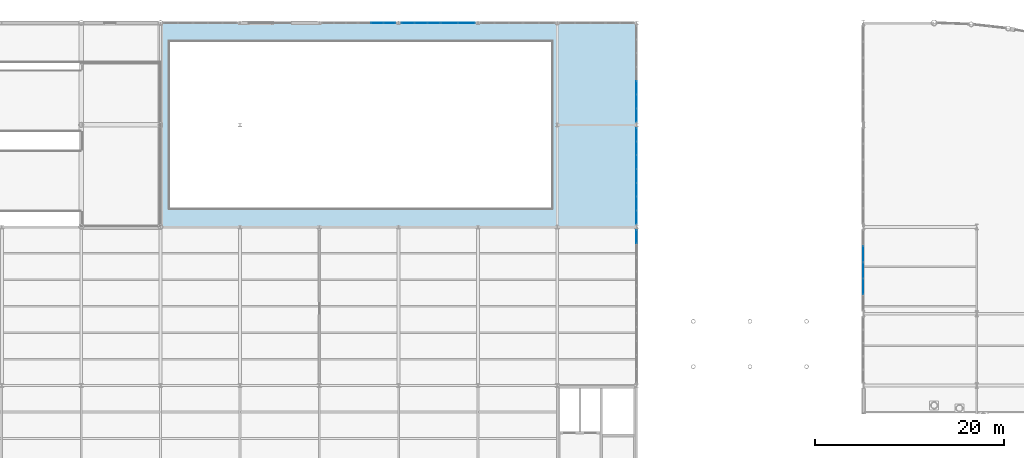
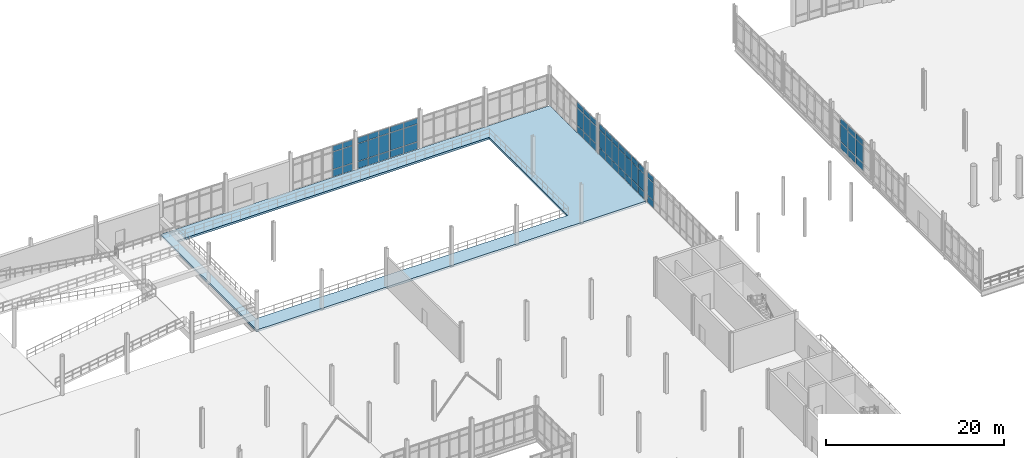
# One storey, part 87 of 111: 63 plates, 1 slab, 7 elements without a shape of their own.
"""IFC4 building model written with IfcOpenShell, lengths in metres."""

from ifc_helpers import new_model, si_unit, direction, frame, origin, origin_2d, place, context, subcontext, project, spatial, polyline, rectangle, outline, extrude, material, layer, layer_set, type_object, element, aggregate, save


model = new_model("IFC4")

# Units and contexts
model_context = context("Model", 3, precision=1e-05, world=origin(), true_north=direction((0.0, 1.0)))
body_context = subcontext(model_context, "Body", "Model", "MODEL_VIEW")
ifc_project = project(units=[si_unit("LENGTHUNIT", "METRE"), si_unit("AREAUNIT", "SQUARE_METRE"), si_unit("VOLUMEUNIT", "CUBIC_METRE"), si_unit("PLANEANGLEUNIT", "RADIAN"), si_unit("MASSUNIT", "GRAM", prefix="KILO"), si_unit("THERMODYNAMICTEMPERATUREUNIT", "KELVIN"), si_unit("POWERUNIT", "WATT")], contexts=[model_context])

# Site, building, storey
site_placement = place(None, origin())
site = spatial("IfcSite", under=ifc_project, at=site_placement, CompositionType="ELEMENT")
building_placement = place(site_placement, origin())
building = spatial("IfcBuilding", under=site, at=building_placement, Name="Tembeka Court Mobility Hub", CompositionType="ELEMENT")
storey_placement = place(building_placement, origin())
storey = spatial("IfcBuildingStorey", under=building, at=storey_placement, Name="L00", CompositionType="ELEMENT", Elevation=0.0)

# Curtain wall, plates
ifc_material_1 = material(Name="Anodised aluminium 6063-T6", Category="aluminium")
ifc_layer_1 = layer(ifc_material_1, 0.159912109375)
ifc_layer_set_1 = layer_set([ifc_layer_1], Name="Anodised aluminium 6063-T6")
curtain_wall_type_1 = type_object("IfcCurtainWallType", Name="CW-SYS13", PredefinedType="USERDEFINED", material=ifc_layer_set_1)
curtain_wall_1_placement = place(storey_placement, origin())
curtain_wall_1 = element("IfcCurtainWall", 1, at=curtain_wall_1_placement, inside=storey, type_object=curtain_wall_type_1, Name="Unitised curtain wall CW13 (CW-L00-015)", ObjectType="UNITISED GLAZING", PredefinedType="USERDEFINED")
ifc_material_2 = material(Name="Laminated solar-control low-E glass", Category="glass")
ifc_layer_2 = layer(ifc_material_2, 0.028076171875)
ifc_layer_set_2 = layer_set([ifc_layer_2], Name="Laminated solar-control low-E glass")
plate_type_1 = type_object("IfcPlateType", Name="PL-CW01", PredefinedType="CURTAIN_PANEL", material=ifc_layer_set_2)
plate_1_placement = place(storey_placement, frame((64.927978515625, 118.800048828125, 0.06494140625), z_axis=(0.0, 0.0, 1.0), x_axis=(1.0, 0.0, 0.0)))
plate_1 = element("IfcPlate", 2, at=plate_1_placement, type_object=plate_type_1, Name="CW13 panel 2.1", PredefinedType="CURTAIN_PANEL", context=body_context, shape_type="SweptSolid", body=[
    extrude(rectangle(XDim=1.262939453125, YDim=0.028076171875, at=origin_2d()), origin(), (0.0, 0.0, 1.0), 0.952392578125),
])
plate_2_placement = place(storey_placement, frame((64.927978515625, 118.800048828125, 1.08251953125), z_axis=(0.0, 0.0, 1.0), x_axis=(1.0, 0.0, 0.0)))
plate_2 = element("IfcPlate", 3, at=plate_2_placement, type_object=plate_type_1, Name="CW13 panel 2.2", PredefinedType="CURTAIN_PANEL", context=body_context, shape_type="SweptSolid", body=[
    extrude(rectangle(XDim=1.262939453125, YDim=0.028076171875, at=origin_2d()), origin(), (0.0, 0.0, 1.0), 2.3701171875),
])
plate_3_placement = place(storey_placement, frame((64.927978515625, 118.800048828125, 3.517578125), z_axis=(0.0, 0.0, 1.0), x_axis=(1.0, 0.0, 0.0)))
plate_3 = element("IfcPlate", 4, at=plate_3_placement, type_object=plate_type_1, Name="CW13 panel 2.3", PredefinedType="CURTAIN_PANEL", context=body_context, shape_type="SweptSolid", body=[
    extrude(rectangle(XDim=1.262939453125, YDim=0.028076171875, at=origin_2d()), origin(), (0.0, 0.0, 1.0), 0.75244140625),
])
plate_4_placement = place(storey_placement, frame((66.23974609375, 118.800048828125, 0.06494140625), z_axis=(0.0, 0.0, 1.0), x_axis=(1.0, 0.0, 0.0)))
plate_4 = element("IfcPlate", 5, at=plate_4_placement, type_object=plate_type_1, Name="CW13 panel 3.1", PredefinedType="CURTAIN_PANEL", context=body_context, shape_type="SweptSolid", body=[
    extrude(rectangle(XDim=1.23046875, YDim=0.028076171875, at=origin_2d()), origin(), (0.0, 0.0, 1.0), 0.952392578125),
])
plate_5_placement = place(storey_placement, frame((66.23974609375, 118.800048828125, 1.08251953125), z_axis=(0.0, 0.0, 1.0), x_axis=(1.0, 0.0, 0.0)))
plate_5 = element("IfcPlate", 6, at=plate_5_placement, type_object=plate_type_1, Name="CW13 panel 3.2", PredefinedType="CURTAIN_PANEL", context=body_context, shape_type="SweptSolid", body=[
    extrude(rectangle(XDim=1.23046875, YDim=0.028076171875, at=origin_2d()), origin(), (0.0, 0.0, 1.0), 2.3701171875),
])
plate_6_placement = place(storey_placement, frame((66.23974609375, 118.800048828125, 3.517578125), z_axis=(0.0, 0.0, 1.0), x_axis=(1.0, 0.0, 0.0)))
plate_6 = element("IfcPlate", 7, at=plate_6_placement, type_object=plate_type_1, Name="CW13 panel 3.3", PredefinedType="CURTAIN_PANEL", context=body_context, shape_type="SweptSolid", body=[
    extrude(rectangle(XDim=1.23046875, YDim=0.028076171875, at=origin_2d()), origin(), (0.0, 0.0, 1.0), 0.75244140625),
])
aggregate(curtain_wall_1, [plate_1, plate_2, plate_3, plate_4, plate_5, plate_6])

ifc_layer_3 = layer(ifc_material_1, 0.159912109375)
ifc_layer_set_3 = layer_set([ifc_layer_3], Name="Anodised aluminium 6063-T6")
curtain_wall_type_2 = type_object("IfcCurtainWallType", Name="CW-SYS15", PredefinedType="USERDEFINED", material=ifc_layer_set_3)
curtain_wall_2_placement = place(storey_placement, origin())
curtain_wall_2 = element("IfcCurtainWall", 8, at=curtain_wall_2_placement, inside=storey, type_object=curtain_wall_type_2, Name="Unitised curtain wall CW15 (CW-L00-017)", ObjectType="UNITISED GLAZING", PredefinedType="USERDEFINED")
plate_7_placement = place(storey_placement, frame((72.600341796875, 118.800048828125, 0.06494140625), z_axis=(0.0, 0.0, 1.0), x_axis=(1.0, 0.0, 0.0)))
plate_7 = element("IfcPlate", 9, at=plate_7_placement, type_object=plate_type_1, Name="CW15 panel 1.1", PredefinedType="CURTAIN_PANEL", context=body_context, shape_type="SweptSolid", body=[
    extrude(rectangle(XDim=1.7265625, YDim=0.028076171875, at=origin_2d()), origin(), (0.0, 0.0, 1.0), 0.952392578125),
])
plate_8_placement = place(storey_placement, frame((72.600341796875, 118.800048828125, 1.08251953125), z_axis=(0.0, 0.0, 1.0), x_axis=(1.0, 0.0, 0.0)))
plate_8 = element("IfcPlate", 10, at=plate_8_placement, type_object=plate_type_1, Name="CW15 panel 1.2", PredefinedType="CURTAIN_PANEL", context=body_context, shape_type="SweptSolid", body=[
    extrude(rectangle(XDim=1.7265625, YDim=0.028076171875, at=origin_2d()), origin(), (0.0, 0.0, 1.0), 2.3701171875),
])
plate_9_placement = place(storey_placement, frame((72.600341796875, 118.800048828125, 3.517578125), z_axis=(0.0, 0.0, 1.0), x_axis=(1.0, 0.0, 0.0)))
plate_9 = element("IfcPlate", 11, at=plate_9_placement, type_object=plate_type_1, Name="CW15 panel 1.3", PredefinedType="CURTAIN_PANEL", context=body_context, shape_type="SweptSolid", body=[
    extrude(rectangle(XDim=1.7265625, YDim=0.028076171875, at=origin_2d()), origin(), (0.0, 0.0, 1.0), 0.75244140625),
])
plate_10_placement = place(storey_placement, frame((74.391845703125, 118.800048828125, 0.06494140625), z_axis=(0.0, 0.0, 1.0), x_axis=(1.0, 0.0, 0.0)))
plate_10 = element("IfcPlate", 12, at=plate_10_placement, type_object=plate_type_1, Name="CW15 panel 2.1", PredefinedType="CURTAIN_PANEL", context=body_context, shape_type="SweptSolid", body=[
    extrude(rectangle(XDim=1.7265625, YDim=0.028076171875, at=origin_2d()), origin(), (0.0, 0.0, 1.0), 0.952392578125),
])
plate_11_placement = place(storey_placement, frame((74.391845703125, 118.800048828125, 1.08251953125), z_axis=(0.0, 0.0, 1.0), x_axis=(1.0, 0.0, 0.0)))
plate_11 = element("IfcPlate", 13, at=plate_11_placement, type_object=plate_type_1, Name="CW15 panel 2.2", PredefinedType="CURTAIN_PANEL", context=body_context, shape_type="SweptSolid", body=[
    extrude(rectangle(XDim=1.7265625, YDim=0.028076171875, at=origin_2d()), origin(), (0.0, 0.0, 1.0), 2.3701171875),
])
plate_12_placement = place(storey_placement, frame((74.391845703125, 118.800048828125, 3.517578125), z_axis=(0.0, 0.0, 1.0), x_axis=(1.0, 0.0, 0.0)))
plate_12 = element("IfcPlate", 14, at=plate_12_placement, type_object=plate_type_1, Name="CW15 panel 2.3", PredefinedType="CURTAIN_PANEL", context=body_context, shape_type="SweptSolid", body=[
    extrude(rectangle(XDim=1.7265625, YDim=0.028076171875, at=origin_2d()), origin(), (0.0, 0.0, 1.0), 0.75244140625),
])
aggregate(curtain_wall_2, [plate_7, plate_8, plate_9, plate_10, plate_11, plate_12])

ifc_layer_4 = layer(ifc_material_1, 0.159912109375)
ifc_layer_set_4 = layer_set([ifc_layer_4], Name="Anodised aluminium 6063-T6")
curtain_wall_type_3 = type_object("IfcCurtainWallType", Name="CW-SYS19", PredefinedType="USERDEFINED", material=ifc_layer_set_4)
curtain_wall_3_placement = place(storey_placement, origin())
curtain_wall_3 = element("IfcCurtainWall", 15, at=curtain_wall_3_placement, inside=storey, type_object=curtain_wall_type_3, Name="Unitised curtain wall CW19 (CW-L00-030)", ObjectType="UNITISED GLAZING", PredefinedType="USERDEFINED")
plate_13_placement = place(storey_placement, frame((92.39990234375, 96.16552734375, 0.06494140625), z_axis=(0.0, 0.0, 1.0), x_axis=(0.0, 1.0, 0.0)))
plate_13 = element("IfcPlate", 16, at=plate_13_placement, type_object=plate_type_1, Name="CW19 panel 11.1", PredefinedType="CURTAIN_PANEL", context=body_context, shape_type="SweptSolid", body=[
    extrude(rectangle(XDim=1.37890625, YDim=0.028076171875, at=origin_2d()), origin(), (0.0, 0.0, 1.0), 0.952392578125),
])
plate_14_placement = place(storey_placement, frame((92.39990234375, 96.16552734375, 1.08251953125), z_axis=(0.0, 0.0, 1.0), x_axis=(0.0, 1.0, 0.0)))
plate_14 = element("IfcPlate", 17, at=plate_14_placement, type_object=plate_type_1, Name="CW19 panel 11.2", PredefinedType="CURTAIN_PANEL", context=body_context, shape_type="SweptSolid", body=[
    extrude(rectangle(XDim=1.37890625, YDim=0.028076171875, at=origin_2d()), origin(), (0.0, 0.0, 1.0), 2.3701171875),
])
plate_15_placement = place(storey_placement, frame((92.39990234375, 96.16552734375, 3.517578125), z_axis=(0.0, 0.0, 1.0), x_axis=(0.0, 1.0, 0.0)))
plate_15 = element("IfcPlate", 18, at=plate_15_placement, type_object=plate_type_1, Name="CW19 panel 11.3", PredefinedType="CURTAIN_PANEL", context=body_context, shape_type="SweptSolid", body=[
    extrude(rectangle(XDim=1.37890625, YDim=0.028076171875, at=origin_2d()), origin(), (0.0, 0.0, 1.0), 0.75244140625),
])
aggregate(curtain_wall_3, [plate_13, plate_14, plate_15])

ifc_layer_5 = layer(ifc_material_1, 0.159912109375)
ifc_layer_set_5 = layer_set([ifc_layer_5], Name="Anodised aluminium 6063-T6")
curtain_wall_type_4 = type_object("IfcCurtainWallType", Name="CW-SYS18", PredefinedType="USERDEFINED", material=ifc_layer_set_5)
curtain_wall_4_placement = place(storey_placement, origin())
curtain_wall_4 = element("IfcCurtainWall", 19, at=curtain_wall_4_placement, inside=storey, type_object=curtain_wall_type_4, Name="Unitised curtain wall CW18 (CW-L00-034)", ObjectType="UNITISED GLAZING", PredefinedType="USERDEFINED")
plate_16_placement = place(storey_placement, frame((92.39990234375, 109.027587890625, 0.06494140625), z_axis=(0.0, 0.0, 1.0), x_axis=(0.0, 1.0, 0.0)))
plate_16 = element("IfcPlate", 20, at=plate_16_placement, type_object=plate_type_1, Name="CW18 panel 1.1", PredefinedType="CURTAIN_PANEL", context=body_context, shape_type="SweptSolid", body=[
    extrude(rectangle(XDim=1.365478515625, YDim=0.028076171875, at=origin_2d()), origin(), (0.0, 0.0, 1.0), 0.952392578125),
])
plate_17_placement = place(storey_placement, frame((92.39990234375, 109.027587890625, 1.08251953125), z_axis=(0.0, 0.0, 1.0), x_axis=(0.0, 1.0, 0.0)))
plate_17 = element("IfcPlate", 21, at=plate_17_placement, type_object=plate_type_1, Name="CW18 panel 1.2", PredefinedType="CURTAIN_PANEL", context=body_context, shape_type="SweptSolid", body=[
    extrude(rectangle(XDim=1.365478515625, YDim=0.028076171875, at=origin_2d()), origin(), (0.0, 0.0, 1.0), 2.3701171875),
])
plate_18_placement = place(storey_placement, frame((92.39990234375, 109.027587890625, 3.517578125), z_axis=(0.0, 0.0, 1.0), x_axis=(0.0, 1.0, 0.0)))
plate_18 = element("IfcPlate", 22, at=plate_18_placement, type_object=plate_type_1, Name="CW18 panel 1.3", PredefinedType="CURTAIN_PANEL", context=body_context, shape_type="SweptSolid", body=[
    extrude(rectangle(XDim=1.365478515625, YDim=0.028076171875, at=origin_2d()), origin(), (0.0, 0.0, 1.0), 0.75244140625),
])
plate_19_placement = place(storey_placement, frame((92.39990234375, 110.474365234375, 0.06494140625), z_axis=(0.0, 0.0, 1.0), x_axis=(0.0, 1.0, 0.0)))
plate_19 = element("IfcPlate", 23, at=plate_19_placement, type_object=plate_type_1, Name="CW18 panel 2.1", PredefinedType="CURTAIN_PANEL", context=body_context, shape_type="SweptSolid", body=[
    extrude(rectangle(XDim=1.39794921875, YDim=0.028076171875, at=origin_2d()), origin(), (0.0, 0.0, 1.0), 0.952392578125),
])
plate_20_placement = place(storey_placement, frame((92.39990234375, 110.474365234375, 1.08251953125), z_axis=(0.0, 0.0, 1.0), x_axis=(0.0, 1.0, 0.0)))
plate_20 = element("IfcPlate", 24, at=plate_20_placement, type_object=plate_type_1, Name="CW18 panel 2.2", PredefinedType="CURTAIN_PANEL", context=body_context, shape_type="SweptSolid", body=[
    extrude(rectangle(XDim=1.39794921875, YDim=0.028076171875, at=origin_2d()), origin(), (0.0, 0.0, 1.0), 2.3701171875),
])
plate_21_placement = place(storey_placement, frame((92.39990234375, 110.474365234375, 3.517578125), z_axis=(0.0, 0.0, 1.0), x_axis=(0.0, 1.0, 0.0)))
plate_21 = element("IfcPlate", 25, at=plate_21_placement, type_object=plate_type_1, Name="CW18 panel 2.3", PredefinedType="CURTAIN_PANEL", context=body_context, shape_type="SweptSolid", body=[
    extrude(rectangle(XDim=1.39794921875, YDim=0.028076171875, at=origin_2d()), origin(), (0.0, 0.0, 1.0), 0.75244140625),
])
plate_22_placement = place(storey_placement, frame((92.39990234375, 111.937255859375, 0.06494140625), z_axis=(0.0, 0.0, 1.0), x_axis=(0.0, 1.0, 0.0)))
plate_22 = element("IfcPlate", 26, at=plate_22_placement, type_object=plate_type_1, Name="CW18 panel 3.1", PredefinedType="CURTAIN_PANEL", context=body_context, shape_type="SweptSolid", body=[
    extrude(rectangle(XDim=1.39794921875, YDim=0.028076171875, at=origin_2d()), origin(), (0.0, 0.0, 1.0), 0.952392578125),
])
plate_23_placement = place(storey_placement, frame((92.39990234375, 111.937255859375, 1.08251953125), z_axis=(0.0, 0.0, 1.0), x_axis=(0.0, 1.0, 0.0)))
plate_23 = element("IfcPlate", 27, at=plate_23_placement, type_object=plate_type_1, Name="CW18 panel 3.2", PredefinedType="CURTAIN_PANEL", context=body_context, shape_type="SweptSolid", body=[
    extrude(rectangle(XDim=1.39794921875, YDim=0.028076171875, at=origin_2d()), origin(), (0.0, 0.0, 1.0), 2.3701171875),
])
plate_24_placement = place(storey_placement, frame((92.39990234375, 111.937255859375, 3.517578125), z_axis=(0.0, 0.0, 1.0), x_axis=(0.0, 1.0, 0.0)))
plate_24 = element("IfcPlate", 28, at=plate_24_placement, type_object=plate_type_1, Name="CW18 panel 3.3", PredefinedType="CURTAIN_PANEL", context=body_context, shape_type="SweptSolid", body=[
    extrude(rectangle(XDim=1.39794921875, YDim=0.028076171875, at=origin_2d()), origin(), (0.0, 0.0, 1.0), 0.75244140625),
])
aggregate(curtain_wall_4, [plate_16, plate_17, plate_18, plate_19, plate_20, plate_21, plate_22, plate_23, plate_24])

ifc_layer_6 = layer(ifc_material_1, 0.199951171875)
ifc_layer_set_6 = layer_set([ifc_layer_6], Name="Anodised aluminium 6063-T6")
curtain_wall_type_5 = type_object("IfcCurtainWallType", Name="CW-SYS28", PredefinedType="USERDEFINED", material=ifc_layer_set_6)
curtain_wall_5_placement = place(storey_placement, origin())
curtain_wall_5 = element("IfcCurtainWall", 29, at=curtain_wall_5_placement, inside=storey, type_object=curtain_wall_type_5, Name="Unitised curtain wall CW28 (CW-L00-087)", ObjectType="UNITISED GLAZING", PredefinedType="USERDEFINED")
plate_25_placement = place(storey_placement, frame((116.39990234375, 90.8720703125, 0.074951171875), z_axis=(0.0, 0.0, 1.0), x_axis=(0.0, 1.0, 0.0)))
plate_25 = element("IfcPlate", 30, at=plate_25_placement, type_object=plate_type_1, Name="CW28 panel 2.1", PredefinedType="CURTAIN_PANEL", context=body_context, shape_type="SweptSolid", body=[
    extrude(rectangle(XDim=1.653076171875, YDim=0.028076171875, at=origin_2d()), origin(), (0.0, 0.0, 1.0), 0.9375),
])
plate_26_placement = place(storey_placement, frame((116.39990234375, 90.8720703125, 1.08740234375), z_axis=(0.0, 0.0, 1.0), x_axis=(0.0, 1.0, 0.0)))
plate_26 = element("IfcPlate", 31, at=plate_26_placement, type_object=plate_type_1, Name="CW28 panel 2.2", PredefinedType="CURTAIN_PANEL", context=body_context, shape_type="SweptSolid", body=[
    extrude(rectangle(XDim=1.653076171875, YDim=0.028076171875, at=origin_2d()), origin(), (0.0, 0.0, 1.0), 2.360107421875),
])
plate_27_placement = place(storey_placement, frame((116.39990234375, 90.8720703125, 3.5224609375), z_axis=(0.0, 0.0, 1.0), x_axis=(0.0, 1.0, 0.0)))
plate_27 = element("IfcPlate", 32, at=plate_27_placement, type_object=plate_type_1, Name="CW28 panel 2.3", PredefinedType="CURTAIN_PANEL", context=body_context, shape_type="SweptSolid", body=[
    extrude(rectangle(XDim=1.653076171875, YDim=0.028076171875, at=origin_2d()), origin(), (0.0, 0.0, 1.0), 0.737548828125),
])
plate_28_placement = place(storey_placement, frame((116.39990234375, 92.60009765625, 0.074951171875), z_axis=(0.0, 0.0, 1.0), x_axis=(0.0, 1.0, 0.0)))
plate_28 = element("IfcPlate", 33, at=plate_28_placement, type_object=plate_type_1, Name="CW28 panel 3.1", PredefinedType="CURTAIN_PANEL", context=body_context, shape_type="SweptSolid", body=[
    extrude(rectangle(XDim=1.653076171875, YDim=0.028076171875, at=origin_2d()), origin(), (0.0, 0.0, 1.0), 0.9375),
])
plate_29_placement = place(storey_placement, frame((116.39990234375, 92.60009765625, 1.08740234375), z_axis=(0.0, 0.0, 1.0), x_axis=(0.0, 1.0, 0.0)))
plate_29 = element("IfcPlate", 34, at=plate_29_placement, type_object=plate_type_1, Name="CW28 panel 3.2", PredefinedType="CURTAIN_PANEL", context=body_context, shape_type="SweptSolid", body=[
    extrude(rectangle(XDim=1.653076171875, YDim=0.028076171875, at=origin_2d()), origin(), (0.0, 0.0, 1.0), 2.360107421875),
])
plate_30_placement = place(storey_placement, frame((116.39990234375, 92.60009765625, 3.5224609375), z_axis=(0.0, 0.0, 1.0), x_axis=(0.0, 1.0, 0.0)))
plate_30 = element("IfcPlate", 35, at=plate_30_placement, type_object=plate_type_1, Name="CW28 panel 3.3", PredefinedType="CURTAIN_PANEL", context=body_context, shape_type="SweptSolid", body=[
    extrude(rectangle(XDim=1.653076171875, YDim=0.028076171875, at=origin_2d()), origin(), (0.0, 0.0, 1.0), 0.737548828125),
])
plate_31_placement = place(storey_placement, frame((116.39990234375, 94.327880859375, 0.074951171875), z_axis=(0.0, 0.0, 1.0), x_axis=(0.0, 1.0, 0.0)))
plate_31 = element("IfcPlate", 36, at=plate_31_placement, type_object=plate_type_1, Name="CW28 panel 4.1", PredefinedType="CURTAIN_PANEL", context=body_context, shape_type="SweptSolid", body=[
    extrude(rectangle(XDim=1.653076171875, YDim=0.028076171875, at=origin_2d()), origin(), (0.0, 0.0, 1.0), 0.9375),
])
plate_32_placement = place(storey_placement, frame((116.39990234375, 94.327880859375, 1.08740234375), z_axis=(0.0, 0.0, 1.0), x_axis=(0.0, 1.0, 0.0)))
plate_32 = element("IfcPlate", 37, at=plate_32_placement, type_object=plate_type_1, Name="CW28 panel 4.2", PredefinedType="CURTAIN_PANEL", context=body_context, shape_type="SweptSolid", body=[
    extrude(rectangle(XDim=1.653076171875, YDim=0.028076171875, at=origin_2d()), origin(), (0.0, 0.0, 1.0), 2.360107421875),
])
plate_33_placement = place(storey_placement, frame((116.39990234375, 94.327880859375, 3.5224609375), z_axis=(0.0, 0.0, 1.0), x_axis=(0.0, 1.0, 0.0)))
plate_33 = element("IfcPlate", 38, at=plate_33_placement, type_object=plate_type_1, Name="CW28 panel 4.3", PredefinedType="CURTAIN_PANEL", context=body_context, shape_type="SweptSolid", body=[
    extrude(rectangle(XDim=1.653076171875, YDim=0.028076171875, at=origin_2d()), origin(), (0.0, 0.0, 1.0), 0.737548828125),
])
aggregate(curtain_wall_5, [plate_25, plate_26, plate_27, plate_28, plate_29, plate_30, plate_31, plate_32, plate_33])

ifc_layer_7 = layer(ifc_material_1, 0.159912109375)
ifc_layer_set_7 = layer_set([ifc_layer_7], Name="Anodised aluminium 6063-T6")
curtain_wall_type_6 = type_object("IfcCurtainWallType", Name="CW-SYS14", PredefinedType="USERDEFINED", material=ifc_layer_set_7)
curtain_wall_6_placement = place(storey_placement, origin())
curtain_wall_6 = element("IfcCurtainWall", 39, at=curtain_wall_6_placement, inside=storey, type_object=curtain_wall_type_6, Name="Unitised curtain wall CW14 (CW-L00-016)", ObjectType="UNITISED GLAZING", PredefinedType="USERDEFINED")
ifc_material_3 = material(Name="Insulated aluminium spandrel panel", Category="aluminium")
ifc_layer_8 = layer(ifc_material_3, 0.052001953125)
ifc_layer_set_8 = layer_set([ifc_layer_8], Name="Insulated aluminium spandrel panel")
plate_type_2 = type_object("IfcPlateType", Name="PL-CW02", PredefinedType="CURTAIN_PANEL", material=ifc_layer_set_8)
plate_34_placement = place(storey_placement, frame((68.188232421875, 118.800048828125, 0.06494140625), z_axis=(0.0, 0.0, 1.0), x_axis=(1.0, 0.0, 0.0)))
plate_34 = element("IfcPlate", 40, at=plate_34_placement, type_object=plate_type_2, Name="CW14 panel 1.1", PredefinedType="CURTAIN_PANEL", context=body_context, shape_type="SweptSolid", body=[
    extrude(rectangle(XDim=1.28662109375, YDim=0.052001953125, at=origin_2d()), origin(), (0.0, 0.0, 1.0), 0.952392578125),
])
plate_35_placement = place(storey_placement, frame((68.188232421875, 118.800048828125, 1.08251953125), z_axis=(0.0, 0.0, 1.0), x_axis=(1.0, 0.0, 0.0)))
plate_35 = element("IfcPlate", 41, at=plate_35_placement, type_object=plate_type_2, Name="CW14 panel 1.2", PredefinedType="CURTAIN_PANEL", context=body_context, shape_type="SweptSolid", body=[
    extrude(rectangle(XDim=1.28662109375, YDim=0.052001953125, at=origin_2d()), origin(), (0.0, 0.0, 1.0), 2.3701171875),
])
plate_36_placement = place(storey_placement, frame((68.188232421875, 118.800048828125, 3.517578125), z_axis=(0.0, 0.0, 1.0), x_axis=(1.0, 0.0, 0.0)))
plate_36 = element("IfcPlate", 42, at=plate_36_placement, type_object=plate_type_2, Name="CW14 panel 1.3", PredefinedType="CURTAIN_PANEL", context=body_context, shape_type="SweptSolid", body=[
    extrude(rectangle(XDim=1.28662109375, YDim=0.052001953125, at=origin_2d()), origin(), (0.0, 0.0, 1.0), 0.75244140625),
])
plate_37_placement = place(storey_placement, frame((69.555908203125, 118.800048828125, 0.06494140625), z_axis=(0.0, 0.0, 1.0), x_axis=(1.0, 0.0, 0.0)))
plate_37 = element("IfcPlate", 43, at=plate_37_placement, type_object=plate_type_2, Name="CW14 panel 2.1", PredefinedType="CURTAIN_PANEL", context=body_context, shape_type="SweptSolid", body=[
    extrude(rectangle(XDim=1.319091796875, YDim=0.052001953125, at=origin_2d()), origin(), (0.0, 0.0, 1.0), 0.952392578125),
])
plate_38_placement = place(storey_placement, frame((69.555908203125, 118.800048828125, 1.08251953125), z_axis=(0.0, 0.0, 1.0), x_axis=(1.0, 0.0, 0.0)))
plate_38 = element("IfcPlate", 44, at=plate_38_placement, type_object=plate_type_2, Name="CW14 panel 2.2", PredefinedType="CURTAIN_PANEL", context=body_context, shape_type="SweptSolid", body=[
    extrude(rectangle(XDim=1.319091796875, YDim=0.052001953125, at=origin_2d()), origin(), (0.0, 0.0, 1.0), 2.3701171875),
])
plate_39_placement = place(storey_placement, frame((69.555908203125, 118.800048828125, 3.517578125), z_axis=(0.0, 0.0, 1.0), x_axis=(1.0, 0.0, 0.0)))
plate_39 = element("IfcPlate", 45, at=plate_39_placement, type_object=plate_type_2, Name="CW14 panel 2.3", PredefinedType="CURTAIN_PANEL", context=body_context, shape_type="SweptSolid", body=[
    extrude(rectangle(XDim=1.319091796875, YDim=0.052001953125, at=origin_2d()), origin(), (0.0, 0.0, 1.0), 0.75244140625),
])
plate_40_placement = place(storey_placement, frame((70.923828125, 118.800048828125, 0.06494140625), z_axis=(0.0, 0.0, 1.0), x_axis=(1.0, 0.0, 0.0)))
plate_40 = element("IfcPlate", 46, at=plate_40_placement, type_object=plate_type_2, Name="CW14 panel 3.1", PredefinedType="CURTAIN_PANEL", context=body_context, shape_type="SweptSolid", body=[
    extrude(rectangle(XDim=1.28662109375, YDim=0.052001953125, at=origin_2d()), origin(), (0.0, 0.0, 1.0), 0.952392578125),
])
plate_41_placement = place(storey_placement, frame((70.923828125, 118.800048828125, 1.08251953125), z_axis=(0.0, 0.0, 1.0), x_axis=(1.0, 0.0, 0.0)))
plate_41 = element("IfcPlate", 47, at=plate_41_placement, type_object=plate_type_2, Name="CW14 panel 3.2", PredefinedType="CURTAIN_PANEL", context=body_context, shape_type="SweptSolid", body=[
    extrude(rectangle(XDim=1.28662109375, YDim=0.052001953125, at=origin_2d()), origin(), (0.0, 0.0, 1.0), 2.3701171875),
])
plate_42_placement = place(storey_placement, frame((70.923828125, 118.800048828125, 3.517578125), z_axis=(0.0, 0.0, 1.0), x_axis=(1.0, 0.0, 0.0)))
plate_42 = element("IfcPlate", 48, at=plate_42_placement, type_object=plate_type_2, Name="CW14 panel 3.3", PredefinedType="CURTAIN_PANEL", context=body_context, shape_type="SweptSolid", body=[
    extrude(rectangle(XDim=1.28662109375, YDim=0.052001953125, at=origin_2d()), origin(), (0.0, 0.0, 1.0), 0.75244140625),
])
aggregate(curtain_wall_6, [plate_34, plate_35, plate_36, plate_37, plate_38, plate_39, plate_40, plate_41, plate_42])

curtain_wall_7_placement = place(storey_placement, origin())
curtain_wall_7 = element("IfcCurtainWall", 49, at=curtain_wall_7_placement, inside=storey, type_object=curtain_wall_type_4, Name="Unitised curtain wall CW18 (CW-L00-032)", ObjectType="UNITISED GLAZING", PredefinedType="USERDEFINED")
plate_43_placement = place(storey_placement, frame((92.39990234375, 98.227783203125, 0.06494140625), z_axis=(0.0, 0.0, 1.0), x_axis=(0.0, 1.0, 0.0)))
plate_43 = element("IfcPlate", 50, at=plate_43_placement, type_object=plate_type_2, Name="CW18 panel 1.1", PredefinedType="CURTAIN_PANEL", context=body_context, shape_type="SweptSolid", body=[
    extrude(rectangle(XDim=1.365478515625, YDim=0.052001953125, at=origin_2d()), origin(), (0.0, 0.0, 1.0), 0.952392578125),
])
plate_44_placement = place(storey_placement, frame((92.39990234375, 98.227783203125, 1.08251953125), z_axis=(0.0, 0.0, 1.0), x_axis=(0.0, 1.0, 0.0)))
plate_44 = element("IfcPlate", 51, at=plate_44_placement, type_object=plate_type_2, Name="CW18 panel 1.2", PredefinedType="CURTAIN_PANEL", context=body_context, shape_type="SweptSolid", body=[
    extrude(rectangle(XDim=1.365478515625, YDim=0.052001953125, at=origin_2d()), origin(), (0.0, 0.0, 1.0), 2.3701171875),
])
plate_45_placement = place(storey_placement, frame((92.39990234375, 98.227783203125, 3.517578125), z_axis=(0.0, 0.0, 1.0), x_axis=(0.0, 1.0, 0.0)))
plate_45 = element("IfcPlate", 52, at=plate_45_placement, type_object=plate_type_2, Name="CW18 panel 1.3", PredefinedType="CURTAIN_PANEL", context=body_context, shape_type="SweptSolid", body=[
    extrude(rectangle(XDim=1.365478515625, YDim=0.052001953125, at=origin_2d()), origin(), (0.0, 0.0, 1.0), 0.75244140625),
])
plate_46_placement = place(storey_placement, frame((92.39990234375, 99.67431640625, 0.06494140625), z_axis=(0.0, 0.0, 1.0), x_axis=(0.0, 1.0, 0.0)))
plate_46 = element("IfcPlate", 53, at=plate_46_placement, type_object=plate_type_2, Name="CW18 panel 2.1", PredefinedType="CURTAIN_PANEL", context=body_context, shape_type="SweptSolid", body=[
    extrude(rectangle(XDim=1.39794921875, YDim=0.052001953125, at=origin_2d()), origin(), (0.0, 0.0, 1.0), 0.952392578125),
])
plate_47_placement = place(storey_placement, frame((92.39990234375, 99.67431640625, 1.08251953125), z_axis=(0.0, 0.0, 1.0), x_axis=(0.0, 1.0, 0.0)))
plate_47 = element("IfcPlate", 54, at=plate_47_placement, type_object=plate_type_2, Name="CW18 panel 2.2", PredefinedType="CURTAIN_PANEL", context=body_context, shape_type="SweptSolid", body=[
    extrude(rectangle(XDim=1.39794921875, YDim=0.052001953125, at=origin_2d()), origin(), (0.0, 0.0, 1.0), 2.3701171875),
])
plate_48_placement = place(storey_placement, frame((92.39990234375, 99.67431640625, 3.517578125), z_axis=(0.0, 0.0, 1.0), x_axis=(0.0, 1.0, 0.0)))
plate_48 = element("IfcPlate", 55, at=plate_48_placement, type_object=plate_type_2, Name="CW18 panel 2.3", PredefinedType="CURTAIN_PANEL", context=body_context, shape_type="SweptSolid", body=[
    extrude(rectangle(XDim=1.39794921875, YDim=0.052001953125, at=origin_2d()), origin(), (0.0, 0.0, 1.0), 0.75244140625),
])
plate_49_placement = place(storey_placement, frame((92.39990234375, 101.13720703125, 0.06494140625), z_axis=(0.0, 0.0, 1.0), x_axis=(0.0, 1.0, 0.0)))
plate_49 = element("IfcPlate", 56, at=plate_49_placement, type_object=plate_type_2, Name="CW18 panel 3.1", PredefinedType="CURTAIN_PANEL", context=body_context, shape_type="SweptSolid", body=[
    extrude(rectangle(XDim=1.39794921875, YDim=0.052001953125, at=origin_2d()), origin(), (0.0, 0.0, 1.0), 0.952392578125),
])
plate_50_placement = place(storey_placement, frame((92.39990234375, 101.13720703125, 1.08251953125), z_axis=(0.0, 0.0, 1.0), x_axis=(0.0, 1.0, 0.0)))
plate_50 = element("IfcPlate", 57, at=plate_50_placement, type_object=plate_type_2, Name="CW18 panel 3.2", PredefinedType="CURTAIN_PANEL", context=body_context, shape_type="SweptSolid", body=[
    extrude(rectangle(XDim=1.39794921875, YDim=0.052001953125, at=origin_2d()), origin(), (0.0, 0.0, 1.0), 2.3701171875),
])
plate_51_placement = place(storey_placement, frame((92.39990234375, 101.13720703125, 3.517578125), z_axis=(0.0, 0.0, 1.0), x_axis=(0.0, 1.0, 0.0)))
plate_51 = element("IfcPlate", 58, at=plate_51_placement, type_object=plate_type_2, Name="CW18 panel 3.3", PredefinedType="CURTAIN_PANEL", context=body_context, shape_type="SweptSolid", body=[
    extrude(rectangle(XDim=1.39794921875, YDim=0.052001953125, at=origin_2d()), origin(), (0.0, 0.0, 1.0), 0.75244140625),
])
plate_52_placement = place(storey_placement, frame((92.39990234375, 102.60009765625, 0.06494140625), z_axis=(0.0, 0.0, 1.0), x_axis=(0.0, 1.0, 0.0)))
plate_52 = element("IfcPlate", 59, at=plate_52_placement, type_object=plate_type_2, Name="CW18 panel 4.1", PredefinedType="CURTAIN_PANEL", context=body_context, shape_type="SweptSolid", body=[
    extrude(rectangle(XDim=1.39794921875, YDim=0.052001953125, at=origin_2d()), origin(), (0.0, 0.0, 1.0), 0.952392578125),
])
plate_53_placement = place(storey_placement, frame((92.39990234375, 102.60009765625, 1.08251953125), z_axis=(0.0, 0.0, 1.0), x_axis=(0.0, 1.0, 0.0)))
plate_53 = element("IfcPlate", 60, at=plate_53_placement, type_object=plate_type_2, Name="CW18 panel 4.2", PredefinedType="CURTAIN_PANEL", context=body_context, shape_type="SweptSolid", body=[
    extrude(rectangle(XDim=1.39794921875, YDim=0.052001953125, at=origin_2d()), origin(), (0.0, 0.0, 1.0), 2.3701171875),
])
plate_54_placement = place(storey_placement, frame((92.39990234375, 102.60009765625, 3.517578125), z_axis=(0.0, 0.0, 1.0), x_axis=(0.0, 1.0, 0.0)))
plate_54 = element("IfcPlate", 61, at=plate_54_placement, type_object=plate_type_2, Name="CW18 panel 4.3", PredefinedType="CURTAIN_PANEL", context=body_context, shape_type="SweptSolid", body=[
    extrude(rectangle(XDim=1.39794921875, YDim=0.052001953125, at=origin_2d()), origin(), (0.0, 0.0, 1.0), 0.75244140625),
])
plate_55_placement = place(storey_placement, frame((92.39990234375, 104.062744140625, 0.06494140625), z_axis=(0.0, 0.0, 1.0), x_axis=(0.0, 1.0, 0.0)))
plate_55 = element("IfcPlate", 62, at=plate_55_placement, type_object=plate_type_2, Name="CW18 panel 5.1", PredefinedType="CURTAIN_PANEL", context=body_context, shape_type="SweptSolid", body=[
    extrude(rectangle(XDim=1.39794921875, YDim=0.052001953125, at=origin_2d()), origin(), (0.0, 0.0, 1.0), 0.952392578125),
])
plate_56_placement = place(storey_placement, frame((92.39990234375, 104.062744140625, 1.08251953125), z_axis=(0.0, 0.0, 1.0), x_axis=(0.0, 1.0, 0.0)))
plate_56 = element("IfcPlate", 63, at=plate_56_placement, type_object=plate_type_2, Name="CW18 panel 5.2", PredefinedType="CURTAIN_PANEL", context=body_context, shape_type="SweptSolid", body=[
    extrude(rectangle(XDim=1.39794921875, YDim=0.052001953125, at=origin_2d()), origin(), (0.0, 0.0, 1.0), 2.3701171875),
])
plate_57_placement = place(storey_placement, frame((92.39990234375, 104.062744140625, 3.517578125), z_axis=(0.0, 0.0, 1.0), x_axis=(0.0, 1.0, 0.0)))
plate_57 = element("IfcPlate", 64, at=plate_57_placement, type_object=plate_type_2, Name="CW18 panel 5.3", PredefinedType="CURTAIN_PANEL", context=body_context, shape_type="SweptSolid", body=[
    extrude(rectangle(XDim=1.39794921875, YDim=0.052001953125, at=origin_2d()), origin(), (0.0, 0.0, 1.0), 0.75244140625),
])
plate_58_placement = place(storey_placement, frame((92.39990234375, 105.525634765625, 0.06494140625), z_axis=(0.0, 0.0, 1.0), x_axis=(0.0, 1.0, 0.0)))
plate_58 = element("IfcPlate", 65, at=plate_58_placement, type_object=plate_type_2, Name="CW18 panel 6.1", PredefinedType="CURTAIN_PANEL", context=body_context, shape_type="SweptSolid", body=[
    extrude(rectangle(XDim=1.39794921875, YDim=0.052001953125, at=origin_2d()), origin(), (0.0, 0.0, 1.0), 0.952392578125),
])
plate_59_placement = place(storey_placement, frame((92.39990234375, 105.525634765625, 1.08251953125), z_axis=(0.0, 0.0, 1.0), x_axis=(0.0, 1.0, 0.0)))
plate_59 = element("IfcPlate", 66, at=plate_59_placement, type_object=plate_type_2, Name="CW18 panel 6.2", PredefinedType="CURTAIN_PANEL", context=body_context, shape_type="SweptSolid", body=[
    extrude(rectangle(XDim=1.39794921875, YDim=0.052001953125, at=origin_2d()), origin(), (0.0, 0.0, 1.0), 2.3701171875),
])
plate_60_placement = place(storey_placement, frame((92.39990234375, 105.525634765625, 3.517578125), z_axis=(0.0, 0.0, 1.0), x_axis=(0.0, 1.0, 0.0)))
plate_60 = element("IfcPlate", 67, at=plate_60_placement, type_object=plate_type_2, Name="CW18 panel 6.3", PredefinedType="CURTAIN_PANEL", context=body_context, shape_type="SweptSolid", body=[
    extrude(rectangle(XDim=1.39794921875, YDim=0.052001953125, at=origin_2d()), origin(), (0.0, 0.0, 1.0), 0.75244140625),
])
plate_61_placement = place(storey_placement, frame((92.39990234375, 106.972412109375, 0.06494140625), z_axis=(0.0, 0.0, 1.0), x_axis=(0.0, 1.0, 0.0)))
plate_61 = element("IfcPlate", 68, at=plate_61_placement, type_object=plate_type_2, Name="CW18 panel 7.1", PredefinedType="CURTAIN_PANEL", context=body_context, shape_type="SweptSolid", body=[
    extrude(rectangle(XDim=1.365478515625, YDim=0.052001953125, at=origin_2d()), origin(), (0.0, 0.0, 1.0), 0.952392578125),
])
plate_62_placement = place(storey_placement, frame((92.39990234375, 106.972412109375, 1.08251953125), z_axis=(0.0, 0.0, 1.0), x_axis=(0.0, 1.0, 0.0)))
plate_62 = element("IfcPlate", 69, at=plate_62_placement, type_object=plate_type_2, Name="CW18 panel 7.2", PredefinedType="CURTAIN_PANEL", context=body_context, shape_type="SweptSolid", body=[
    extrude(rectangle(XDim=1.365478515625, YDim=0.052001953125, at=origin_2d()), origin(), (0.0, 0.0, 1.0), 2.3701171875),
])
plate_63_placement = place(storey_placement, frame((92.39990234375, 106.972412109375, 3.517578125), z_axis=(0.0, 0.0, 1.0), x_axis=(0.0, 1.0, 0.0)))
plate_63 = element("IfcPlate", 70, at=plate_63_placement, type_object=plate_type_2, Name="CW18 panel 7.3", PredefinedType="CURTAIN_PANEL", context=body_context, shape_type="SweptSolid", body=[
    extrude(rectangle(XDim=1.365478515625, YDim=0.052001953125, at=origin_2d()), origin(), (0.0, 0.0, 1.0), 0.75244140625),
])
aggregate(curtain_wall_7, [plate_43, plate_44, plate_45, plate_46, plate_47, plate_48, plate_49, plate_50, plate_51, plate_52, plate_53, plate_54, plate_55, plate_56, plate_57, plate_58, plate_59, plate_60, plate_61, plate_62, plate_63])

# Slab
ifc_material_4 = material(Name="Concrete C40/50", Category="concrete")
ifc_layer_9 = layer(ifc_material_4, 0.280029296875)
ifc_layer_set_9 = layer_set([ifc_layer_9], Name="Concrete C40/50")
slab_type = type_object("IfcSlabType", Name="SL-FL01", PredefinedType="FLOOR", material=ifc_layer_set_9)
slab_placement = place(storey_placement, frame((0.0, 0.0, -0.280029296875)))
element("IfcSlab", 71, at=slab_placement, inside=storey, type_object=slab_type, Name="L00 North-East shared-mobility gallery slab", PredefinedType="FLOOR", context=body_context, shape_type="SweptSolid", body=[
    extrude(outline(polyline([(42.0, 97.199951171875), (92.39990234375, 97.199951171875), (92.39990234375, 118.800048828125), (42.0, 118.800048828125), (42.0, 97.199951171875)]), holes=[polyline([(43.0, 116.800048828125), (83.39990234375, 116.800048828125), (83.39990234375, 99.199951171875), (43.0, 99.199951171875), (43.0, 116.800048828125)])]), origin(), (0.0, 0.0, 1.0), 0.280029296875),
])

save(model, "model.ifc")
